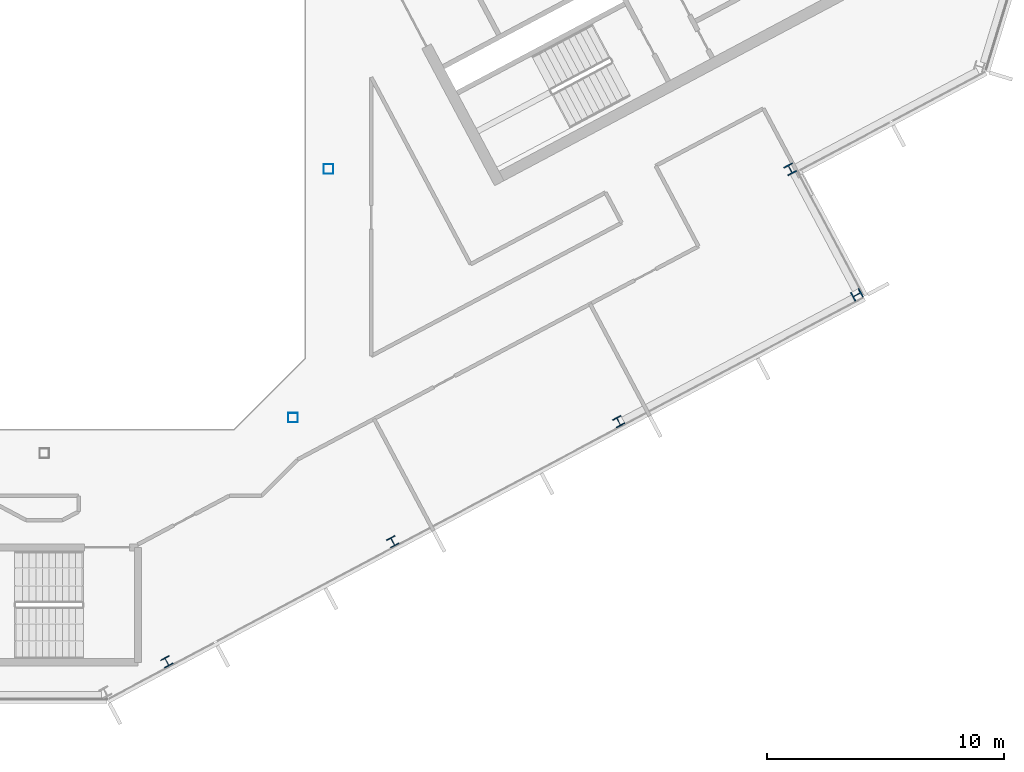
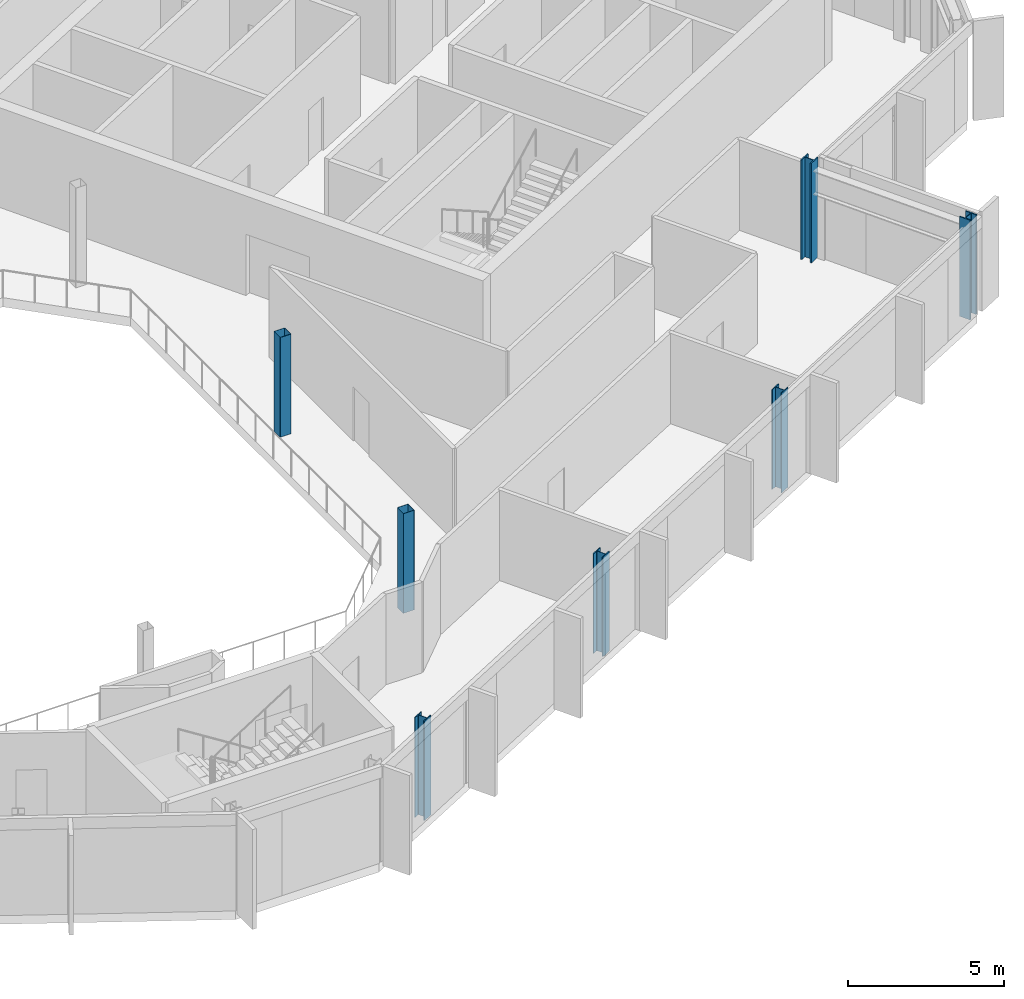
# One storey, part 5 of 26: 7 columns.
"""IFC4 building model written with IfcOpenShell, lengths in metres."""

from ifc_helpers import new_model, si_unit, direction, frame, origin, origin_2d, place, context, subcontext, project, spatial, hollow_rectangle, i_section, extrude, material, material_profile, profile_set, type_object, element, save


model = new_model("IFC4")

# Units and contexts
model_context = context("Model", 3, precision=1e-05, world=origin(), true_north=direction((0.0, 1.0)))
body_context = subcontext(model_context, "Body", "Model", "MODEL_VIEW")
ifc_project = project(units=[si_unit("LENGTHUNIT", "METRE"), si_unit("AREAUNIT", "SQUARE_METRE"), si_unit("VOLUMEUNIT", "CUBIC_METRE"), si_unit("PLANEANGLEUNIT", "RADIAN"), si_unit("MASSUNIT", "GRAM", prefix="KILO")], contexts=[model_context])

# Site, building, storey
site_placement = place(None, origin())
site = spatial("IfcSite", under=ifc_project, at=site_placement, CompositionType="ELEMENT")
building_placement = place(site_placement, origin())
building = spatial("IfcBuilding", under=site, at=building_placement, Name="Cormorant Relay Tower", CompositionType="ELEMENT")
storey_placement = place(building_placement, frame((0.0, 0.0, 312.60009765625)))
storey = spatial("IfcBuildingStorey", under=building, at=storey_placement, Name="L71", CompositionType="ELEMENT", Elevation=312.60009765625)

# Columns
ifc_material_1 = material(Name="Steel ASTM A500 Grade C (Fy 345 MPa)", Category="steel")
ifc_material_profile_1 = material_profile(ifc_material_1, hollow_rectangle(XDim=0.406494140625, YDim=0.406494140625, WallThickness=0.0087890625, InnerFilletRadius=0.00439453125, OuterFilletRadius=0.01318359375, at=origin_2d()), Name="HSS406x406x9")
ifc_profile_set_1 = profile_set([ifc_material_profile_1], Name="Steel ASTM A500 Grade C (Fy 345 MPa)")
column_type_1 = type_object("IfcColumnType", Name="Column HSS406x406x9", PredefinedType="COLUMN", material=ifc_profile_set_1)
for number, where, z_axis, x_axis, name in (
    (1, (10.5, -10.5, 0.0), (0.0, 0.0, 1.0), (1.0, 0.0, 0.0), "Column L71-010"),
    (2, (12.0, 0.0, 0.0), (0.0, 0.0, 1.0), (1.0, 0.0, 0.0), "Column L71-016"),
):
    element("IfcColumn", number, at=place(storey_placement, frame(where, z_axis=z_axis, x_axis=x_axis)), inside=storey, type_object=column_type_1, Name=name, PredefinedType="COLUMN", context=body_context, shape_type="SweptSolid", body=[
        extrude(hollow_rectangle(XDim=0.406494140625, YDim=0.406494140625, WallThickness=0.0087890625, InnerFilletRadius=0.00439453125, OuterFilletRadius=0.01318359375, at=origin_2d()), origin(), (0.0, 0.0, 1.0), 3.89990234375),
    ])
ifc_material_2 = material(Name="Steel ASTM A992 (Fy 345 MPa)", Category="steel")
ifc_material_profile_2 = material_profile(ifc_material_2, i_section(OverallWidth=0.398681640625, OverallDepth=0.385986328125, WebThickness=0.02099609375, FlangeThickness=0.033203125, FilletRadius=0.01513671875, at=origin_2d()), Name="W360x262")
ifc_profile_set_2 = profile_set([ifc_material_profile_2], Name="Steel ASTM A992 (Fy 345 MPa)")
column_type_2 = type_object("IfcColumnType", Name="Column W360x262", PredefinedType="COLUMN", material=ifc_profile_set_2)
for number, where, z_axis, x_axis, name in (
    (3, (5.174072265625, -20.806884765625, 0.0), (0.0, 0.0, 1.0), (0.882947592859, 0.469471562786, 0.0), "Column L71-003"),
    (4, (14.7099609375, -15.736083984375, 0.0), (0.0, 0.0, 1.0), (0.882947592859, 0.469471562786, 0.0), "Column L71-005"),
    (5, (24.2451171875, -10.666015625, 0.0), (0.0, 0.0, 1.0), (0.882947592859, 0.469471562786, 0.0), "Column L71-008"),
):
    element("IfcColumn", number, at=place(storey_placement, frame(where, z_axis=z_axis, x_axis=x_axis)), inside=storey, type_object=column_type_2, Name=name, PredefinedType="COLUMN", context=body_context, shape_type="SweptSolid", body=[
        extrude(i_section(OverallWidth=0.398681640625, OverallDepth=0.385986328125, WebThickness=0.02099609375, FlangeThickness=0.033203125, FilletRadius=0.01513671875, at=origin_2d()), origin(), (0.0, 0.0, 1.0), 3.89990234375),
    ])
ifc_material_3 = material(Name="Steel ASTM A992 (Fy 345 MPa)", Category="steel")
ifc_material_profile_3 = material_profile(ifc_material_3, i_section(OverallWidth=0.40380859375, OverallDepth=0.406494140625, WebThickness=0.027099609375, FlangeThickness=0.043701171875, FilletRadius=0.01513671875, at=origin_2d()), Name="W360x347")
ifc_profile_set_3 = profile_set([ifc_material_profile_3], Name="Steel ASTM A992 (Fy 345 MPa)")
column_type_3 = type_object("IfcColumnType", Name="Column W360x347", PredefinedType="COLUMN", material=ifc_profile_set_3)
for number, where, z_axis, x_axis, name in (
    (6, (34.303955078125, -5.31201171875, 0.0), (0.0, 0.0, 1.0), (-0.469471562786, 0.882947592859, 0.0), "Column L71-012"),
    (7, (31.487060546875, -0.013916015625, 0.0), (0.0, 0.0, 1.0), (0.882947592859, 0.469471562786, 0.0), "Column L71-014"),
):
    element("IfcColumn", number, at=place(storey_placement, frame(where, z_axis=z_axis, x_axis=x_axis)), inside=storey, type_object=column_type_3, Name=name, PredefinedType="COLUMN", context=body_context, shape_type="SweptSolid", body=[
        extrude(i_section(OverallWidth=0.40380859375, OverallDepth=0.406494140625, WebThickness=0.027099609375, FlangeThickness=0.043701171875, FilletRadius=0.01513671875, at=origin_2d()), origin(), (0.0, 0.0, 1.0), 3.89990234375),
    ])

save(model, "model.ifc")
